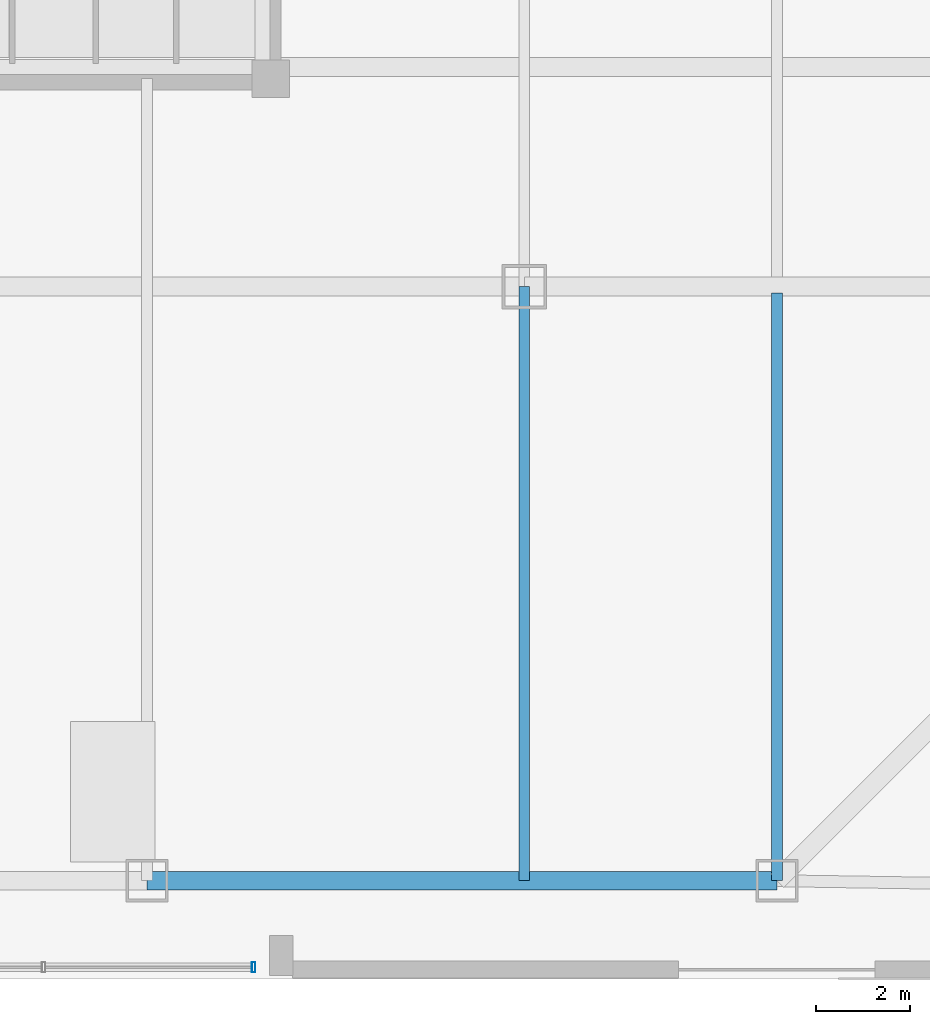
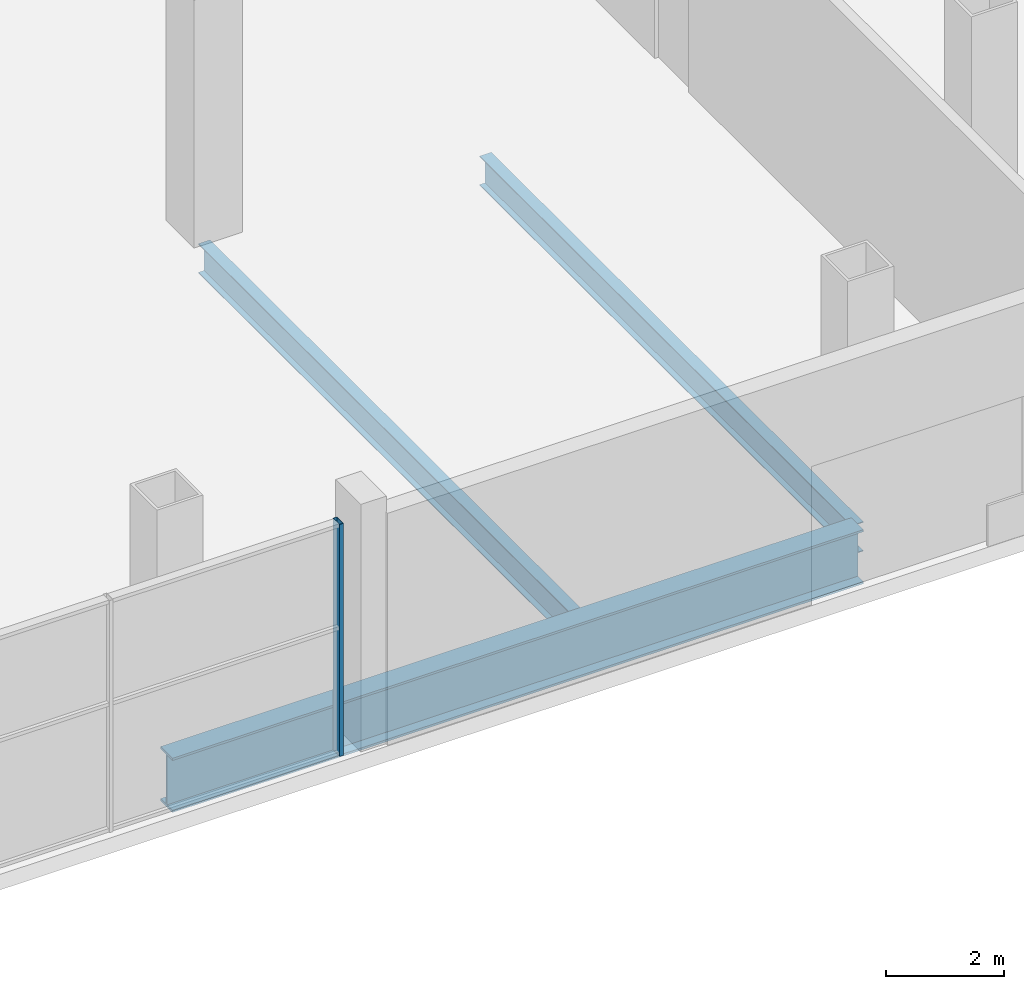
# One storey, part 6 of 21: 3 beams, 1 member, 1 element without a shape of its own.
"""IFC4 building model written with IfcOpenShell, lengths in metres."""

from ifc_helpers import new_model, si_unit, direction, frame, origin, origin_2d, place, context, subcontext, project, spatial, hollow_rectangle, i_section, extrude, material, layer, layer_set, material_profile, profile_set, type_object, element, aggregate, save


model = new_model("IFC4")

# Units and contexts
model_context = context("Model", 3, precision=1e-05, world=origin(), true_north=direction((0.0, 1.0)))
body_context = subcontext(model_context, "Body", "Model", "MODEL_VIEW")
ifc_project = project(units=[si_unit("LENGTHUNIT", "METRE"), si_unit("AREAUNIT", "SQUARE_METRE"), si_unit("VOLUMEUNIT", "CUBIC_METRE"), si_unit("PLANEANGLEUNIT", "RADIAN"), si_unit("MASSUNIT", "GRAM", prefix="KILO")], contexts=[model_context])

# Site, building, storey
site_placement = place(None, origin())
site = spatial("IfcSite", under=ifc_project, at=site_placement, CompositionType="ELEMENT")
building_placement = place(site_placement, origin())
building = spatial("IfcBuilding", under=site, at=building_placement, Name="Qhalaya Broadcast Tower", CompositionType="ELEMENT")
storey_placement = place(building_placement, origin())
storey = spatial("IfcBuildingStorey", under=building, at=storey_placement, Name="L00", CompositionType="ELEMENT", Elevation=0.0)

# Beams
ifc_material_1 = material(Name="Structural Steel ASTM A992 Grade 50", Category="steel")
ifc_material_profile_1 = material_profile(ifc_material_1, i_section(OverallWidth=0.22802734375, OverallDepth=0.60693359375, WebThickness=0.01123046875, FlangeThickness=0.017333984375, at=origin_2d()), Name="W24X76")
ifc_profile_set_1 = profile_set([ifc_material_profile_1], Name="Structural Steel ASTM A992 Grade 50")
beam_type_1 = type_object("IfcBeamType", Name="Composite Floor Joist J01", PredefinedType="JOIST", material=ifc_profile_set_1)
beam_1_placement = place(storey_placement, frame((14.800048828125, -25.89990234375, -0.62353515625), z_axis=(0.0, 1.0, 0.0), x_axis=(-1.0, 0.0, 0.0)))
element("IfcBeam", 1, at=beam_1_placement, inside=storey, type_object=beam_type_1, Name="L00 J01 L00-JS-S+14.8", PredefinedType="JOIST", context=body_context, shape_type="SweptSolid", body=[
    extrude(i_section(OverallWidth=0.22802734375, OverallDepth=0.60693359375, WebThickness=0.01123046875, FlangeThickness=0.017333984375, at=origin_2d()), origin(), (0.0, 0.0, 1.0), 12.699951171875),
])
beam_2_placement = place(storey_placement, frame((20.199951171875, -25.89990234375, -0.62353515625), z_axis=(0.0, 1.0, 0.0), x_axis=(-1.0, 0.0, 0.0)))
element("IfcBeam", 2, at=beam_2_placement, inside=storey, type_object=beam_type_1, Name="L00 J01 L00-JS-S+20.2", PredefinedType="JOIST", context=body_context, shape_type="SweptSolid", body=[
    extrude(i_section(OverallWidth=0.22802734375, OverallDepth=0.60693359375, WebThickness=0.01123046875, FlangeThickness=0.017333984375, at=origin_2d()), origin(), (0.0, 0.0, 1.0), 12.559814453125),
])
ifc_material_profile_2 = material_profile(ifc_material_1, i_section(OverallWidth=0.404052734375, OverallDepth=1.117919921875, WebThickness=0.026123046875, FlangeThickness=0.044921875, at=origin_2d()), Name="W44X335")
ifc_profile_set_2 = profile_set([ifc_material_profile_2], Name="Structural Steel ASTM A992 Grade 50")
beam_type_2 = type_object("IfcBeamType", Name="Podium Long-Span Primary Girder PG1", PredefinedType="USERDEFINED", material=ifc_profile_set_2)
beam_3_placement = place(storey_placement, frame((6.7333984375, -25.89990234375, -0.87890625), z_axis=(1.0, 0.0, 0.0), x_axis=(0.0, 1.0, 0.0)))
element("IfcBeam", 3, at=beam_3_placement, inside=storey, type_object=beam_type_2, Name="L00 PG1 L00-PG-R03", ObjectType="GIRDER", PredefinedType="USERDEFINED", context=body_context, shape_type="SweptSolid", body=[
    extrude(i_section(OverallWidth=0.404052734375, OverallDepth=1.117919921875, WebThickness=0.026123046875, FlangeThickness=0.044921875, at=origin_2d()), origin(), (0.0, 0.0, 1.0), 13.466552734375),
])

# Curtain wall, member
ifc_material_2 = material(Name="Solar-Control Low-E Triple Glazing", Category="glass")
ifc_layer = layer(ifc_material_2, 0.219970703125, Name="Solar-Control Low-E Triple Glazing")
ifc_layer_set = layer_set([ifc_layer], Name="Solar-Control Low-E Triple Glazing")
curtain_wall_type = type_object("IfcCurtainWallType", Name="Podium Concourse Triple-Height Glazed Portal CW-01", PredefinedType="NOTDEFINED", material=ifc_layer_set)
curtain_wall_placement = place(storey_placement, origin())
curtain_wall = element("IfcCurtainWall", 4, at=curtain_wall_placement, inside=storey, type_object=curtain_wall_type, Name="L00 Unitised Curtain Wall L00-CW01-S", PredefinedType="NOTDEFINED")
ifc_material_3 = material(Name="Anodised Aluminium 6063-T6", Category="aluminium")
ifc_material_profile_3 = material_profile(ifc_material_3, hollow_rectangle(XDim=0.074951171875, YDim=0.219970703125, WallThickness=0.00390625, at=origin_2d()), Name="ALU-MUL 75x220x4")
ifc_profile_set_3 = profile_set([ifc_material_profile_3], Name="Anodised Aluminium 6063-T6")
member_type = type_object("IfcMemberType", Name="Unitised Curtain-Wall Mullion M01", PredefinedType="MULLION", material=ifc_profile_set_3)
member_placement = place(storey_placement, frame((9.012451171875, -27.75, 0.0), z_axis=(0.0, 0.0, 1.0), x_axis=(1.0, 0.0, 0.0)))
member = element("IfcMember", 5, at=member_placement, type_object=member_type, Name="CW-01 mullion 5", PredefinedType="MULLION", context=body_context, shape_type="SweptSolid", body=[
    extrude(hollow_rectangle(XDim=0.074951171875, YDim=0.219970703125, WallThickness=0.00390625, at=origin_2d()), origin(), (0.0, 0.0, 1.0), 4.780029296875),
])
aggregate(curtain_wall, [member])

save(model, "model.ifc")
